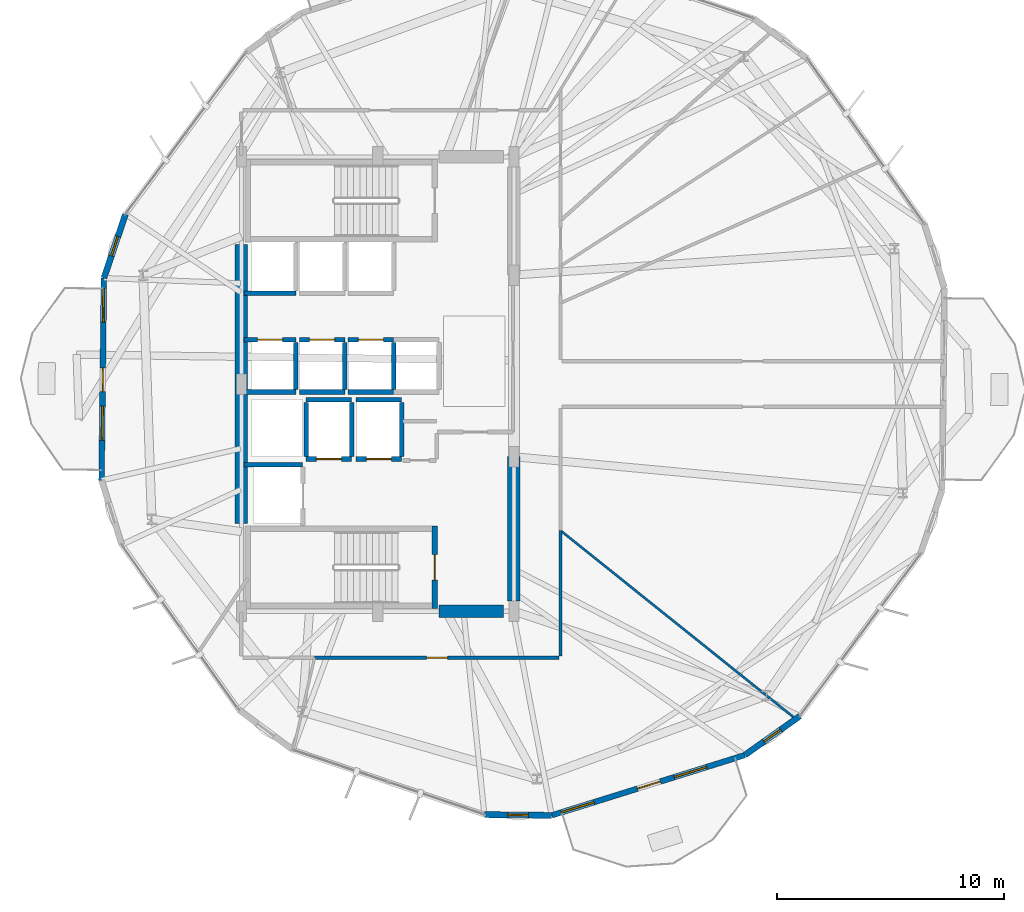
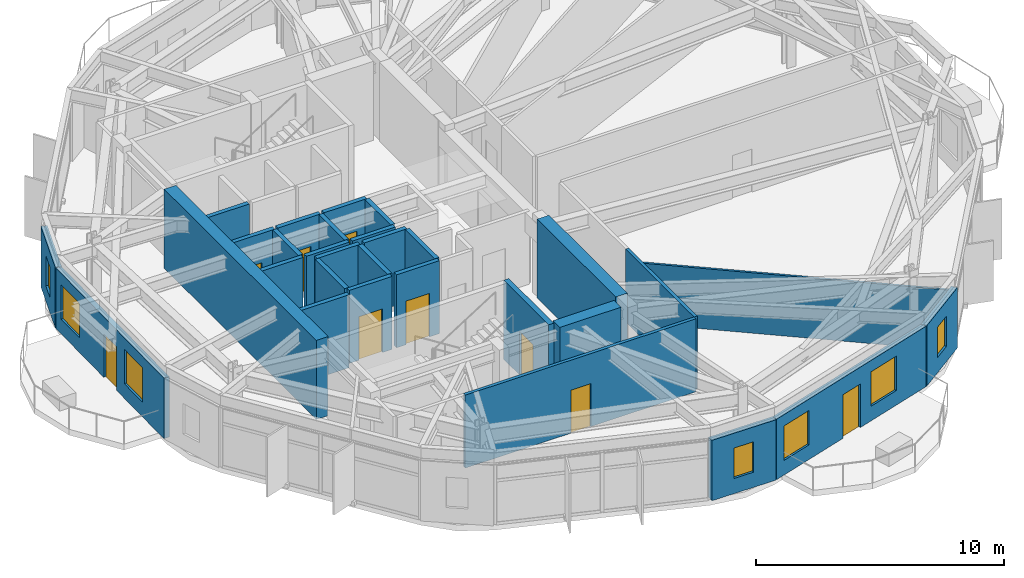
# One storey, part 22 of 27: 30 walls, 9 doors, 7 windows, 16 openings.
"""IFC4 building model written with IfcOpenShell, lengths in metres."""

from ifc_helpers import new_model, si_unit, direction, frame, frame_2d, origin, place, context, subcontext, project, spatial, rectangle, extrude, material, layer, layer_set, type_object, element, fill, save


model = new_model("IFC4")

# Units and contexts
model_context = context("Model", 3, precision=1e-05, world=origin(), true_north=direction((0.0, 1.0)))
body_context = subcontext(model_context, "Body", "Model", "MODEL_VIEW")
ifc_project = project(units=[si_unit("LENGTHUNIT", "METRE"), si_unit("AREAUNIT", "SQUARE_METRE"), si_unit("VOLUMEUNIT", "CUBIC_METRE"), si_unit("PLANEANGLEUNIT", "RADIAN"), si_unit("MASSUNIT", "GRAM", prefix="KILO")], contexts=[model_context])

# Site, building, storey
site_placement = place(None, origin())
site = spatial("IfcSite", under=ifc_project, at=site_placement, CompositionType="ELEMENT")
building_placement = place(site_placement, origin())
building = spatial("IfcBuilding", under=site, at=building_placement, Name="Soratama Intermodal Tower", CompositionType="ELEMENT")
storey_placement = place(building_placement, frame((0.0, 0.0, 95.199951171875)))
storey = spatial("IfcBuildingStorey", under=building, at=storey_placement, Name="L22", CompositionType="ELEMENT", Elevation=95.199951171875)

# Wall, openings, door, windows
ifc_material_1 = material(Name="Concrete f'c 42 MPa", Category="concrete")
ifc_layer_1 = layer(ifc_material_1, 0.25)
ifc_layer_set_1 = layer_set([ifc_layer_1], Name="Concrete f'c 42 MPa")
wall_type_1 = type_object("IfcWallType", Name="EW-BAL-250", PredefinedType="SOLIDWALL", material=ifc_layer_set_1)
wall_1_placement = place(storey_placement, frame((26.543701171875, 29.667236328125, 0.0), z_axis=(0.0, 0.0, 1.0), x_axis=(-0.011510186569, -0.999933755608, 0.0)))
wall_1 = element("IfcWall", 1, at=wall_1_placement, inside=storey, type_object=wall_type_1, Name="L22 Terrace Wall F05", PredefinedType="SOLIDWALL", context=body_context, shape_type="SweptSolid", body=[
    extrude(rectangle(XDim=8.908447265625, YDim=0.25, at=frame_2d((4.4541015625, 0.0))), origin(), (0.0, 0.0, 1.0), 2.97900390625),
])
opening_1_placement = place(wall_1_placement, frame((3.954345703125, 0.0, 0.0)))
opening_1 = element("IfcOpeningElement", 2, at=opening_1_placement, cuts=wall_1, Name="Opening ED-5", PredefinedType="OPENING", context=body_context, shape_type="SweptSolid", body=[
    extrude(rectangle(XDim=1.050048828125, YDim=2.14990234375, at=frame_2d((0.52490234375, 1.074951171875))), frame((0.0, 0.135009765625, 0.0), z_axis=(0.0, -1.0, 0.0), x_axis=(1.0, 0.0, 0.0)), (0.0, 0.0, 1.0), 0.27001953125),
])
opening_2_placement = place(wall_1_placement, frame((0.43994140625, 0.0, 0.719970703125)))
opening_2 = element("IfcOpeningElement", 3, at=opening_2_placement, cuts=wall_1, Name="Opening WN-1", PredefinedType="OPENING", context=body_context, shape_type="SweptSolid", body=[
    extrude(rectangle(XDim=1.5, YDim=1.699951171875, at=frame_2d((0.75, 0.85009765625))), frame((0.0, 0.135009765625, 0.0), z_axis=(0.0, -1.0, 0.0), x_axis=(1.0, 0.0, 0.0)), (0.0, 0.0, 1.0), 0.27001953125),
])
opening_3_placement = place(wall_1_placement, frame((5.644287109375, 0.0, 0.719970703125)))
opening_3 = element("IfcOpeningElement", 4, at=opening_3_placement, cuts=wall_1, Name="Opening WN-1", PredefinedType="OPENING", context=body_context, shape_type="SweptSolid", body=[
    extrude(rectangle(XDim=1.5, YDim=1.699951171875, at=frame_2d((0.75, 0.85009765625))), frame((0.0, 0.135009765625, 0.0), z_axis=(0.0, -1.0, 0.0), x_axis=(1.0, 0.0, 0.0)), (0.0, 0.0, 1.0), 0.27001953125),
])
ifc_material_2 = material(Name="Double-glazed aluminium door", Category="aluminium")
door_type_1 = type_object("IfcDoorType", Name="DR-BAL-1050", OperationType="NOTDEFINED", PredefinedType="DOOR", material=ifc_material_2)
door_1_placement = place(opening_1_placement, origin())
door_1 = element("IfcDoor", 5, at=door_1_placement, inside=storey, type_object=door_type_1, Name="L22 Balcony Door F05", OperationType="SINGLE_SWING_LEFT", OverallHeight=2.14990234375, OverallWidth=1.050048828125, PredefinedType="DOOR", context=body_context, shape_type="SweptSolid", body=[
    extrude(rectangle(XDim=1.050048828125, YDim=2.14990234375, at=frame_2d((0.52490234375, 1.074951171875))), frame((0.0, 0.02490234375, 0.0), z_axis=(0.0, -1.0, 0.0), x_axis=(1.0, 0.0, 0.0)), (0.0, 0.0, 1.0), 0.050048828125),
])
fill(opening_1, door_1)
ifc_material_3 = material(Name="Double-glazed aluminium window", Category="aluminium")
window_type_1 = type_object("IfcWindowType", Name="WN-FAC-1500", PartitioningType="SINGLE_PANEL", PredefinedType="WINDOW", material=ifc_material_3)
window_1_placement = place(opening_2_placement, origin())
window_1 = element("IfcWindow", 6, at=window_1_placement, inside=storey, type_object=window_type_1, Name="L22 Window A F05", OverallHeight=1.699951171875, OverallWidth=1.5, PartitioningType="SINGLE_PANEL", PredefinedType="WINDOW", context=body_context, shape_type="SweptSolid", body=[
    extrude(rectangle(XDim=1.5, YDim=1.699951171875, at=frame_2d((0.75, 0.85009765625))), frame((0.0, 0.030029296875, 0.0), z_axis=(0.0, -1.0, 0.0), x_axis=(1.0, 0.0, 0.0)), (0.0, 0.0, 1.0), 0.06005859375),
])
fill(opening_2, window_1)
window_2_placement = place(opening_3_placement, origin())
window_2 = element("IfcWindow", 7, at=window_2_placement, inside=storey, type_object=window_type_1, Name="L22 Window B F05", OverallHeight=1.699951171875, OverallWidth=1.5, PartitioningType="SINGLE_PANEL", PredefinedType="WINDOW", context=body_context, shape_type="SweptSolid", body=[
    extrude(rectangle(XDim=1.5, YDim=1.699951171875, at=frame_2d((0.75, 0.85009765625))), frame((0.0, 0.030029296875, 0.0), z_axis=(0.0, -1.0, 0.0), x_axis=(1.0, 0.0, 0.0)), (0.0, 0.0, 1.0), 0.06005859375),
])
fill(opening_3, window_2)

wall_2_placement = place(storey_placement, frame((46.2646484375, 6.0048828125, 0.0), z_axis=(0.0, 0.0, 1.0), x_axis=(0.954555531523, 0.298033114332, 0.0)))
wall_2 = element("IfcWall", 8, at=wall_2_placement, inside=storey, type_object=wall_type_1, Name="L22 Terrace Wall F08", PredefinedType="SOLIDWALL", context=body_context, shape_type="SweptSolid", body=[
    extrude(rectangle(XDim=8.908447265625, YDim=0.25, at=frame_2d((4.4541015625, 0.0))), origin(), (0.0, 0.0, 1.0), 2.97900390625),
])
opening_4_placement = place(wall_2_placement, frame((3.9541015625, 0.0, 0.0)))
opening_4 = element("IfcOpeningElement", 9, at=opening_4_placement, cuts=wall_2, Name="Opening ED-5", PredefinedType="OPENING", context=body_context, shape_type="SweptSolid", body=[
    extrude(rectangle(XDim=1.050048828125, YDim=2.14990234375, at=frame_2d((0.52490234375, 1.074951171875))), frame((0.0, 0.135009765625, 0.0), z_axis=(0.0, -1.0, 0.0), x_axis=(1.0, 0.0, 0.0)), (0.0, 0.0, 1.0), 0.27001953125),
])
opening_5_placement = place(wall_2_placement, frame((0.43994140625, 0.0, 0.719970703125)))
opening_5 = element("IfcOpeningElement", 10, at=opening_5_placement, cuts=wall_2, Name="Opening WN-1", PredefinedType="OPENING", context=body_context, shape_type="SweptSolid", body=[
    extrude(rectangle(XDim=1.5, YDim=1.699951171875, at=frame_2d((0.75, 0.85009765625))), frame((0.0, 0.135009765625, 0.0), z_axis=(0.0, -1.0, 0.0), x_axis=(1.0, 0.0, 0.0)), (0.0, 0.0, 1.0), 0.27001953125),
])
opening_6_placement = place(wall_2_placement, frame((5.644287109375, 0.0, 0.719970703125)))
opening_6 = element("IfcOpeningElement", 11, at=opening_6_placement, cuts=wall_2, Name="Opening WN-1", PredefinedType="OPENING", context=body_context, shape_type="SweptSolid", body=[
    extrude(rectangle(XDim=1.5, YDim=1.699951171875, at=frame_2d((0.75, 0.85009765625))), frame((0.0, 0.135009765625, 0.0), z_axis=(0.0, -1.0, 0.0), x_axis=(1.0, 0.0, 0.0)), (0.0, 0.0, 1.0), 0.27001953125),
])
door_2_placement = place(opening_4_placement, origin())
door_2 = element("IfcDoor", 12, at=door_2_placement, inside=storey, type_object=door_type_1, Name="L22 Balcony Door F08", OperationType="SINGLE_SWING_RIGHT", OverallHeight=2.14990234375, OverallWidth=1.050048828125, PredefinedType="DOOR", context=body_context, shape_type="SweptSolid", body=[
    extrude(rectangle(XDim=1.050048828125, YDim=2.14990234375, at=frame_2d((0.52490234375, 1.074951171875))), frame((0.0, 0.02490234375, 0.0), z_axis=(0.0, -1.0, 0.0), x_axis=(1.0, 0.0, 0.0)), (0.0, 0.0, 1.0), 0.050048828125),
])
fill(opening_4, door_2)
window_3_placement = place(opening_5_placement, origin())
window_3 = element("IfcWindow", 13, at=window_3_placement, inside=storey, type_object=window_type_1, Name="L22 Window A F08", OverallHeight=1.699951171875, OverallWidth=1.5, PartitioningType="SINGLE_PANEL", PredefinedType="WINDOW", context=body_context, shape_type="SweptSolid", body=[
    extrude(rectangle(XDim=1.5, YDim=1.699951171875, at=frame_2d((0.75, 0.85009765625))), frame((0.0, 0.030029296875, 0.0), z_axis=(0.0, -1.0, 0.0), x_axis=(1.0, 0.0, 0.0)), (0.0, 0.0, 1.0), 0.06005859375),
])
fill(opening_5, window_3)
window_4_placement = place(opening_6_placement, origin())
window_4 = element("IfcWindow", 14, at=window_4_placement, inside=storey, type_object=window_type_1, Name="L22 Window B F08", OverallHeight=1.699951171875, OverallWidth=1.5, PartitioningType="SINGLE_PANEL", PredefinedType="WINDOW", context=body_context, shape_type="SweptSolid", body=[
    extrude(rectangle(XDim=1.5, YDim=1.699951171875, at=frame_2d((0.75, 0.85009765625))), frame((0.0, 0.030029296875, 0.0), z_axis=(0.0, -1.0, 0.0), x_axis=(1.0, 0.0, 0.0)), (0.0, 0.0, 1.0), 0.06005859375),
])
fill(opening_6, window_4)

# Wall, opening, window
ifc_material_4 = material(Name="Concrete f'c 42 MPa", Category="concrete")
ifc_layer_2 = layer(ifc_material_4, 0.27001953125)
ifc_layer_set_2 = layer_set([ifc_layer_2], Name="Concrete f'c 42 MPa")
wall_type_2 = type_object("IfcWallType", Name="EW-CRN-270", PredefinedType="SOLIDWALL", material=ifc_layer_set_2)
wall_3_placement = place(storey_placement, frame((27.492919921875, 32.477783203125, 0.0), z_axis=(0.0, 0.0, 1.0), x_axis=(-0.319978121569, -0.94742493197, 0.0)))
wall_3 = element("IfcWall", 15, at=wall_3_placement, inside=storey, type_object=wall_type_2, Name="L22 Corner Closure Wall 04", PredefinedType="SOLIDWALL", context=body_context, shape_type="SweptSolid", body=[
    extrude(rectangle(XDim=2.966552734375, YDim=0.27001953125, at=frame_2d((1.4833984375, 0.0))), origin(), (0.0, 0.0, 1.0), 2.97900390625),
])
opening_7_placement = place(wall_3_placement, frame((1.033203125, 0.0, 0.75)))
opening_7 = element("IfcOpeningElement", 16, at=opening_7_placement, cuts=wall_3, Name="Opening WN-6", PredefinedType="OPENING", context=body_context, shape_type="SweptSolid", body=[
    extrude(rectangle(XDim=0.89990234375, YDim=1.5, at=frame_2d((0.449951171875, 0.75))), frame((0.0, 0.14501953125, 0.0), z_axis=(0.0, -1.0, 0.0), x_axis=(1.0, 0.0, 0.0)), (0.0, 0.0, 1.0), 0.2900390625),
])
ifc_material_5 = material(Name="Double-glazed aluminium window", Category="aluminium")
window_type_2 = type_object("IfcWindowType", Name="WN-FAC-900", PartitioningType="SINGLE_PANEL", PredefinedType="WINDOW", material=ifc_material_5)
window_5_placement = place(opening_7_placement, origin())
window_5 = element("IfcWindow", 17, at=window_5_placement, inside=storey, type_object=window_type_2, Name="L22 Corner Window 04", OverallHeight=1.5, OverallWidth=0.89990234375, PartitioningType="SINGLE_PANEL", PredefinedType="WINDOW", context=body_context, shape_type="SweptSolid", body=[
    extrude(rectangle(XDim=0.89990234375, YDim=1.5, at=frame_2d((0.449951171875, 0.75))), frame((0.0, 0.030029296875, 0.0), z_axis=(0.0, -1.0, 0.0), x_axis=(1.0, 0.0, 0.0)), (0.0, 0.0, 1.0), 0.06005859375),
])
fill(opening_7, window_5)

wall_4_placement = place(storey_placement, frame((43.298095703125, 6.0390625, 0.0), z_axis=(0.0, 0.0, 1.0), x_axis=(0.99993363199, -0.011520920787, 0.0)))
wall_4 = element("IfcWall", 18, at=wall_4_placement, inside=storey, type_object=wall_type_2, Name="L22 Corner Closure Wall 07", PredefinedType="SOLIDWALL", context=body_context, shape_type="SweptSolid", body=[
    extrude(rectangle(XDim=2.966796875, YDim=0.27001953125, at=frame_2d((1.4833984375, 0.0))), origin(), (0.0, 0.0, 1.0), 2.97900390625),
])
opening_8_placement = place(wall_4_placement, frame((1.033203125, 0.0, 0.75)))
opening_8 = element("IfcOpeningElement", 19, at=opening_8_placement, cuts=wall_4, Name="Opening WN-6", PredefinedType="OPENING", context=body_context, shape_type="SweptSolid", body=[
    extrude(rectangle(XDim=0.89990234375, YDim=1.5, at=frame_2d((0.449951171875, 0.75))), frame((0.0, 0.14501953125, 0.0), z_axis=(0.0, -1.0, 0.0), x_axis=(1.0, 0.0, 0.0)), (0.0, 0.0, 1.0), 0.2900390625),
])
window_6_placement = place(opening_8_placement, origin())
window_6 = element("IfcWindow", 20, at=window_6_placement, inside=storey, type_object=window_type_2, Name="L22 Corner Window 07", OverallHeight=1.5, OverallWidth=0.89990234375, PartitioningType="SINGLE_PANEL", PredefinedType="WINDOW", context=body_context, shape_type="SweptSolid", body=[
    extrude(rectangle(XDim=0.89990234375, YDim=1.5, at=frame_2d((0.449951171875, 0.75))), frame((0.0, 0.030029296875, 0.0), z_axis=(0.0, -1.0, 0.0), x_axis=(1.0, 0.0, 0.0)), (0.0, 0.0, 1.0), 0.06005859375),
])
fill(opening_8, window_6)

wall_5_placement = place(storey_placement, frame((54.768310546875, 8.659912109375, 0.0), z_axis=(0.0, 0.0, 1.0), x_axis=(0.815686288548, 0.57849449321, 0.0)))
wall_5 = element("IfcWall", 21, at=wall_5_placement, inside=storey, type_object=wall_type_2, Name="L22 Corner Closure Wall 08", PredefinedType="SOLIDWALL", context=body_context, shape_type="SweptSolid", body=[
    extrude(rectangle(XDim=2.966552734375, YDim=0.27001953125, at=frame_2d((1.4833984375, 0.0))), origin(), (0.0, 0.0, 1.0), 2.97900390625),
])
opening_9_placement = place(wall_5_placement, frame((1.033203125, 0.0, 0.75)))
opening_9 = element("IfcOpeningElement", 22, at=opening_9_placement, cuts=wall_5, Name="Opening WN-6", PredefinedType="OPENING", context=body_context, shape_type="SweptSolid", body=[
    extrude(rectangle(XDim=0.89990234375, YDim=1.5, at=frame_2d((0.449951171875, 0.75))), frame((0.0, 0.14501953125, 0.0), z_axis=(0.0, -1.0, 0.0), x_axis=(1.0, 0.0, 0.0)), (0.0, 0.0, 1.0), 0.2900390625),
])
window_7_placement = place(opening_9_placement, origin())
window_7 = element("IfcWindow", 23, at=window_7_placement, inside=storey, type_object=window_type_2, Name="L22 Corner Window 08", OverallHeight=1.5, OverallWidth=0.89990234375, PartitioningType="SINGLE_PANEL", PredefinedType="WINDOW", context=body_context, shape_type="SweptSolid", body=[
    extrude(rectangle(XDim=0.89990234375, YDim=1.5, at=frame_2d((0.449951171875, 0.75))), frame((0.0, 0.030029296875, 0.0), z_axis=(0.0, -1.0, 0.0), x_axis=(1.0, 0.0, 0.0)), (0.0, 0.0, 1.0), 0.06005859375),
])
fill(opening_9, window_7)

# Wall, opening, door
ifc_material_6 = material(Name="Fire-rated gypsum stud partition", Category="concrete")
ifc_layer_3 = layer(ifc_material_6, 0.14990234375)
ifc_layer_set_3 = layer_set([ifc_layer_3], Name="Fire-rated gypsum stud partition")
wall_type_3 = type_object("IfcWallType", Name="IW-PART-R150", PredefinedType="PARTITIONING", material=ifc_layer_set_3)
wall_6_placement = place(storey_placement, frame((46.580078125, 12.949951171875, 0.0), z_axis=(0.0, 0.0, 1.0), x_axis=(-1.0, 0.0, 0.0)))
wall_6 = element("IfcWall", 24, at=wall_6_placement, inside=storey, type_object=wall_type_3, Name="L22 Partition W-L22-TP007", PredefinedType="PARTITIONING", context=body_context, shape_type="SweptSolid", body=[
    extrude(rectangle(XDim=10.760986328125, YDim=0.14990234375, at=frame_2d((5.38037109375, 0.0))), origin(), (0.0, 0.0, 1.0), 3.60009765625),
])
opening_10_placement = place(wall_6_placement, frame((4.905029296875, 0.0, 0.0)))
opening_10 = element("IfcOpeningElement", 25, at=opening_10_placement, cuts=wall_6, Name="Opening ID-6", PredefinedType="OPENING", context=body_context, shape_type="SweptSolid", body=[
    extrude(rectangle(XDim=0.919921875, YDim=2.1201171875, at=frame_2d((0.4599609375, 1.06005859375))), frame((0.0, 0.0849609375, 0.0), z_axis=(0.0, -1.0, 0.0), x_axis=(1.0, 0.0, 0.0)), (0.0, 0.0, 1.0), 0.169921875),
])
ifc_material_7 = material(Name="Solid hardwood acoustic door", Category="wood")
door_type_2 = type_object("IfcDoorType", Name="DR-ROOM-920", OperationType="NOTDEFINED", PredefinedType="DOOR", material=ifc_material_7)
door_3_placement = place(opening_10_placement, origin())
door_3 = element("IfcDoor", 26, at=door_3_placement, inside=storey, type_object=door_type_2, Name="L22 Door D-L22-TP003", OperationType="SINGLE_SWING_RIGHT", OverallHeight=2.1201171875, OverallWidth=0.919921875, PredefinedType="DOOR", context=body_context, shape_type="SweptSolid", body=[
    extrude(rectangle(XDim=0.919921875, YDim=2.1201171875, at=frame_2d((0.4599609375, 1.06005859375))), frame((0.0, 0.02490234375, 0.0), z_axis=(0.0, -1.0, 0.0), x_axis=(1.0, 0.0, 0.0)), (0.0, 0.0, 1.0), 0.050048828125),
])
fill(opening_10, door_3)

# Walls
wall_7_placement = place(storey_placement, frame((46.64990234375, 18.550048828125, 0.0), z_axis=(0.0, 0.0, 1.0), x_axis=(0.0, -1.0, 0.0)))
element("IfcWall", 27, at=wall_7_placement, inside=storey, type_object=wall_type_3, Name="L22 Partition W-L22-TP013", PredefinedType="PARTITIONING", context=body_context, shape_type="SweptSolid", body=[
    extrude(rectangle(XDim=5.530029296875, YDim=0.14990234375, at=frame_2d((2.76513671875, 0.0))), origin(), (0.0, 0.0, 1.0), 3.60009765625),
])
ifc_material_8 = material(Name="Fire-rated gypsum stud partition", Category="concrete")
ifc_layer_4 = layer(ifc_material_8, 0.10009765625)
ifc_layer_set_4 = layer_set([ifc_layer_4], Name="Fire-rated gypsum stud partition")
wall_type_4 = type_object("IfcWallType", Name="IW-PART-S100", PredefinedType="PARTITIONING", material=ifc_layer_set_4)
wall_8_placement = place(storey_placement, frame((46.64990234375, 18.550048828125, 0.0), z_axis=(0.0, 0.0, 1.0), x_axis=(0.780419428842, -0.625256359492, 0.0)))
element("IfcWall", 28, at=wall_8_placement, inside=storey, type_object=wall_type_4, Name="L22 Partition W-L22-TP005", PredefinedType="PARTITIONING", context=body_context, shape_type="SweptSolid", body=[
    extrude(rectangle(XDim=13.309814453125, YDim=0.10009765625, at=frame_2d((6.65478515625, 0.0))), origin(), (0.0, 0.0, 1.0), 2.97802734375),
])

# Wall, opening, door
ifc_material_9 = material(Name="Concrete f'c 42 MPa", Category="concrete")
ifc_layer_5 = layer(ifc_material_9, 0.199951171875)
ifc_layer_set_5 = layer_set([ifc_layer_5], Name="Concrete f'c 42 MPa")
wall_type_5 = type_object("IfcWallType", Name="IW-SHAFT-200", PredefinedType="SOLIDWALL", material=ifc_layer_set_5)
wall_9_placement = place(storey_placement, frame((35.449951171875, 21.699951171875, 0.0), z_axis=(0.0, 0.0, 1.0), x_axis=(1.0, 0.0, 0.0)))
wall_9 = element("IfcWall", 29, at=wall_9_placement, inside=storey, type_object=wall_type_5, Name="L22 FFL-1 Hoistway Wall S", PredefinedType="SOLIDWALL", context=body_context, shape_type="SweptSolid", body=[
    extrude(rectangle(XDim=2.0, YDim=0.199951171875, at=frame_2d((1.0, 0.0))), origin(), (0.0, 0.0, 1.0), 3.60009765625),
])
opening_11_placement = place(wall_9_placement, frame((0.449951171875, 0.0, 0.0)))
opening_11 = element("IfcOpeningElement", 30, at=opening_11_placement, cuts=wall_9, Name="Opening LD-1", PredefinedType="OPENING", context=body_context, shape_type="SweptSolid", body=[
    extrude(rectangle(XDim=1.10009765625, YDim=2.14990234375, at=frame_2d((0.550048828125, 1.074951171875))), frame((0.0, 0.10986328125, 0.0), z_axis=(0.0, -1.0, 0.0), x_axis=(1.0, 0.0, 0.0)), (0.0, 0.0, 1.0), 0.219970703125),
])
ifc_material_10 = material(Name="Steel fire door", Category="steel")
door_type_3 = type_object("IfcDoorType", Name="DR-LIFT-SLIDE", OperationType="NOTDEFINED", PredefinedType="DOOR", material=ifc_material_10)
door_4_placement = place(opening_11_placement, origin())
door_4 = element("IfcDoor", 31, at=door_4_placement, inside=storey, type_object=door_type_3, Name="L22 FFL-1 Sliding Landing Door", OperationType="SLIDING_TO_LEFT", OverallHeight=2.14990234375, OverallWidth=1.10009765625, PredefinedType="DOOR", context=body_context, shape_type="SweptSolid", body=[
    extrude(rectangle(XDim=1.10009765625, YDim=2.14990234375, at=frame_2d((0.550048828125, 1.074951171875))), frame((0.0, 0.02490234375, 0.0), z_axis=(0.0, -1.0, 0.0), x_axis=(1.0, 0.0, 0.0)), (0.0, 0.0, 1.0), 0.050048828125),
])
fill(opening_11, door_4)

# Walls
wall_10_placement = place(storey_placement, frame((35.449951171875, 24.300048828125, 0.0), z_axis=(0.0, 0.0, 1.0), x_axis=(1.0, 0.0, 0.0)))
element("IfcWall", 32, at=wall_10_placement, inside=storey, type_object=wall_type_5, Name="L22 FFL-1 Hoistway Wall N", PredefinedType="SOLIDWALL", context=body_context, shape_type="SweptSolid", body=[
    extrude(rectangle(XDim=2.0, YDim=0.199951171875, at=frame_2d((1.0, 0.0))), origin(), (0.0, 0.0, 1.0), 3.60009765625),
])
for number, where, z_axis, x_axis, name in (
    (33, (35.449951171875, 21.81005859375, 0.0), (0.0, 0.0, 1.0), (0.0, 1.0, 0.0), "L22 FFL-1 Hoistway Wall W"),
    (34, (37.449951171875, 21.81005859375, 0.0), (0.0, 0.0, 1.0), (0.0, 1.0, 0.0), "L22 FFL-1 Hoistway Wall E"),
):
    element("IfcWall", number, at=place(storey_placement, frame(where, z_axis=z_axis, x_axis=x_axis)), inside=storey, type_object=wall_type_5, Name=name, PredefinedType="SOLIDWALL", context=body_context, shape_type="SweptSolid", body=[
        extrude(rectangle(XDim=2.3798828125, YDim=0.199951171875, at=frame_2d((1.18994140625, 0.0))), origin(), (0.0, 0.0, 1.0), 3.60009765625),
    ])

# Wall, opening, door
wall_11_placement = place(storey_placement, frame((37.64990234375, 21.699951171875, 0.0), z_axis=(0.0, 0.0, 1.0), x_axis=(1.0, 0.0, 0.0)))
wall_11 = element("IfcWall", 35, at=wall_11_placement, inside=storey, type_object=wall_type_5, Name="L22 FFL-2 Hoistway Wall S", PredefinedType="SOLIDWALL", context=body_context, shape_type="SweptSolid", body=[
    extrude(rectangle(XDim=2.0, YDim=0.199951171875, at=frame_2d((1.0, 0.0))), origin(), (0.0, 0.0, 1.0), 3.60009765625),
])
opening_12_placement = place(wall_11_placement, frame((0.449951171875, 0.0, 0.0)))
opening_12 = element("IfcOpeningElement", 36, at=opening_12_placement, cuts=wall_11, Name="Opening LD-1", PredefinedType="OPENING", context=body_context, shape_type="SweptSolid", body=[
    extrude(rectangle(XDim=1.10009765625, YDim=2.14990234375, at=frame_2d((0.550048828125, 1.074951171875))), frame((0.0, 0.10986328125, 0.0), z_axis=(0.0, -1.0, 0.0), x_axis=(1.0, 0.0, 0.0)), (0.0, 0.0, 1.0), 0.219970703125),
])
door_5_placement = place(opening_12_placement, origin())
door_5 = element("IfcDoor", 37, at=door_5_placement, inside=storey, type_object=door_type_3, Name="L22 FFL-2 Sliding Landing Door", OperationType="SLIDING_TO_LEFT", OverallHeight=2.14990234375, OverallWidth=1.10009765625, PredefinedType="DOOR", context=body_context, shape_type="SweptSolid", body=[
    extrude(rectangle(XDim=1.10009765625, YDim=2.14990234375, at=frame_2d((0.550048828125, 1.074951171875))), frame((0.0, 0.02490234375, 0.0), z_axis=(0.0, -1.0, 0.0), x_axis=(1.0, 0.0, 0.0)), (0.0, 0.0, 1.0), 0.050048828125),
])
fill(opening_12, door_5)

# Walls
wall_12_placement = place(storey_placement, frame((37.64990234375, 24.300048828125, 0.0), z_axis=(0.0, 0.0, 1.0), x_axis=(1.0, 0.0, 0.0)))
element("IfcWall", 38, at=wall_12_placement, inside=storey, type_object=wall_type_5, Name="L22 FFL-2 Hoistway Wall N", PredefinedType="SOLIDWALL", context=body_context, shape_type="SweptSolid", body=[
    extrude(rectangle(XDim=2.0, YDim=0.199951171875, at=frame_2d((1.0, 0.0))), origin(), (0.0, 0.0, 1.0), 3.60009765625),
])
wall_13_placement = place(storey_placement, frame((39.64990234375, 21.81005859375, 0.0), z_axis=(0.0, 0.0, 1.0), x_axis=(0.0, 1.0, 0.0)))
element("IfcWall", 39, at=wall_13_placement, inside=storey, type_object=wall_type_5, Name="L22 FFL-2 Hoistway Wall E", PredefinedType="SOLIDWALL", context=body_context, shape_type="SweptSolid", body=[
    extrude(rectangle(XDim=2.3798828125, YDim=0.199951171875, at=frame_2d((1.18994140625, 0.0))), origin(), (0.0, 0.0, 1.0), 3.60009765625),
])
wall_14_placement = place(storey_placement, frame((32.719970703125, 21.449951171875, 0.0), z_axis=(0.0, 0.0, 1.0), x_axis=(1.0, 0.0, 0.0)))
element("IfcWall", 40, at=wall_14_placement, inside=storey, type_object=wall_type_5, Name="L22 SVL-1 Hoistway Wall N", PredefinedType="SOLIDWALL", context=body_context, shape_type="SweptSolid", body=[
    extrude(rectangle(XDim=2.580078125, YDim=0.199951171875, at=frame_2d((1.2900390625, 0.0))), origin(), (0.0, 0.0, 1.0), 3.60009765625),
])
wall_15_placement = place(storey_placement, frame((32.719970703125, 24.64990234375, 0.0), z_axis=(0.0, 0.0, 1.0), x_axis=(1.0, 0.0, 0.0)))
element("IfcWall", 41, at=wall_15_placement, inside=storey, type_object=wall_type_5, Name="L22 PL-L1 Hoistway Wall S", PredefinedType="SOLIDWALL", context=body_context, shape_type="SweptSolid", body=[
    extrude(rectangle(XDim=2.280029296875, YDim=0.199951171875, at=frame_2d((1.14013671875, 0.0))), origin(), (0.0, 0.0, 1.0), 3.60009765625),
])

# Wall, opening, door
wall_16_placement = place(storey_placement, frame((32.719970703125, 26.949951171875, 0.0), z_axis=(0.0, 0.0, 1.0), x_axis=(1.0, 0.0, 0.0)))
wall_16 = element("IfcWall", 42, at=wall_16_placement, inside=storey, type_object=wall_type_5, Name="L22 PL-L1 Hoistway Wall N", PredefinedType="SOLIDWALL", context=body_context, shape_type="SweptSolid", body=[
    extrude(rectangle(XDim=2.280029296875, YDim=0.199951171875, at=frame_2d((1.14013671875, 0.0))), origin(), (0.0, 0.0, 1.0), 3.60009765625),
])
opening_13_placement = place(wall_16_placement, frame((0.590087890625, 0.0, 0.0)))
opening_13 = element("IfcOpeningElement", 43, at=opening_13_placement, cuts=wall_16, Name="Opening LD-1", PredefinedType="OPENING", context=body_context, shape_type="SweptSolid", body=[
    extrude(rectangle(XDim=1.10009765625, YDim=2.14990234375, at=frame_2d((0.550048828125, 1.074951171875))), frame((0.0, 0.10986328125, 0.0), z_axis=(0.0, -1.0, 0.0), x_axis=(1.0, 0.0, 0.0)), (0.0, 0.0, 1.0), 0.219970703125),
])
door_6_placement = place(opening_13_placement, origin())
door_6 = element("IfcDoor", 44, at=door_6_placement, inside=storey, type_object=door_type_3, Name="L22 PL-L1 Sliding Landing Door", OperationType="SLIDING_TO_LEFT", OverallHeight=2.14990234375, OverallWidth=1.10009765625, PredefinedType="DOOR", context=body_context, shape_type="SweptSolid", body=[
    extrude(rectangle(XDim=1.10009765625, YDim=2.14990234375, at=frame_2d((0.550048828125, 1.074951171875))), frame((0.0, 0.02490234375, 0.0), z_axis=(0.0, -1.0, 0.0), x_axis=(1.0, 0.0, 0.0)), (0.0, 0.0, 1.0), 0.050048828125),
])
fill(opening_13, door_6)

# Walls
wall_17_placement = place(storey_placement, frame((35.0, 24.760009765625, 0.0), z_axis=(0.0, 0.0, 1.0), x_axis=(0.0, 1.0, 0.0)))
element("IfcWall", 45, at=wall_17_placement, inside=storey, type_object=wall_type_5, Name="L22 PL-L1 Hoistway Wall E", PredefinedType="SOLIDWALL", context=body_context, shape_type="SweptSolid", body=[
    extrude(rectangle(XDim=2.080078125, YDim=0.199951171875, at=frame_2d((1.0400390625, 0.0))), origin(), (0.0, 0.0, 1.0), 3.60009765625),
])
wall_18_placement = place(storey_placement, frame((35.14990234375, 24.64990234375, 0.0), z_axis=(0.0, 0.0, 1.0), x_axis=(1.0, 0.0, 0.0)))
element("IfcWall", 46, at=wall_18_placement, inside=storey, type_object=wall_type_5, Name="L22 PL-L2 Hoistway Wall S", PredefinedType="SOLIDWALL", context=body_context, shape_type="SweptSolid", body=[
    extrude(rectangle(XDim=2.0, YDim=0.199951171875, at=frame_2d((1.0, 0.0))), origin(), (0.0, 0.0, 1.0), 3.60009765625),
])

# Wall, opening, door
wall_19_placement = place(storey_placement, frame((35.14990234375, 26.949951171875, 0.0), z_axis=(0.0, 0.0, 1.0), x_axis=(1.0, 0.0, 0.0)))
wall_19 = element("IfcWall", 47, at=wall_19_placement, inside=storey, type_object=wall_type_5, Name="L22 PL-L2 Hoistway Wall N", PredefinedType="SOLIDWALL", context=body_context, shape_type="SweptSolid", body=[
    extrude(rectangle(XDim=2.0, YDim=0.199951171875, at=frame_2d((1.0, 0.0))), origin(), (0.0, 0.0, 1.0), 3.60009765625),
])
opening_14_placement = place(wall_19_placement, frame((0.449951171875, 0.0, 0.0)))
opening_14 = element("IfcOpeningElement", 48, at=opening_14_placement, cuts=wall_19, Name="Opening LD-1", PredefinedType="OPENING", context=body_context, shape_type="SweptSolid", body=[
    extrude(rectangle(XDim=1.10009765625, YDim=2.14990234375, at=frame_2d((0.550048828125, 1.074951171875))), frame((0.0, 0.10986328125, 0.0), z_axis=(0.0, -1.0, 0.0), x_axis=(1.0, 0.0, 0.0)), (0.0, 0.0, 1.0), 0.219970703125),
])
door_7_placement = place(opening_14_placement, origin())
door_7 = element("IfcDoor", 49, at=door_7_placement, inside=storey, type_object=door_type_3, Name="L22 PL-L2 Sliding Landing Door", OperationType="SLIDING_TO_LEFT", OverallHeight=2.14990234375, OverallWidth=1.10009765625, PredefinedType="DOOR", context=body_context, shape_type="SweptSolid", body=[
    extrude(rectangle(XDim=1.10009765625, YDim=2.14990234375, at=frame_2d((0.550048828125, 1.074951171875))), frame((0.0, 0.02490234375, 0.0), z_axis=(0.0, -1.0, 0.0), x_axis=(1.0, 0.0, 0.0)), (0.0, 0.0, 1.0), 0.050048828125),
])
fill(opening_14, door_7)

# Walls
wall_20_placement = place(storey_placement, frame((37.14990234375, 24.760009765625, 0.0), z_axis=(0.0, 0.0, 1.0), x_axis=(0.0, 1.0, 0.0)))
element("IfcWall", 50, at=wall_20_placement, inside=storey, type_object=wall_type_5, Name="L22 PL-L2 Hoistway Wall E", PredefinedType="SOLIDWALL", context=body_context, shape_type="SweptSolid", body=[
    extrude(rectangle(XDim=2.080078125, YDim=0.199951171875, at=frame_2d((1.0400390625, 0.0))), origin(), (0.0, 0.0, 1.0), 3.60009765625),
])
wall_21_placement = place(storey_placement, frame((37.300048828125, 24.64990234375, 0.0), z_axis=(0.0, 0.0, 1.0), x_axis=(1.0, 0.0, 0.0)))
element("IfcWall", 51, at=wall_21_placement, inside=storey, type_object=wall_type_5, Name="L22 PL-L3 Hoistway Wall S", PredefinedType="SOLIDWALL", context=body_context, shape_type="SweptSolid", body=[
    extrude(rectangle(XDim=2.0, YDim=0.199951171875, at=frame_2d((1.0, 0.0))), origin(), (0.0, 0.0, 1.0), 3.60009765625),
])

# Wall, opening, door
wall_22_placement = place(storey_placement, frame((37.300048828125, 26.949951171875, 0.0), z_axis=(0.0, 0.0, 1.0), x_axis=(1.0, 0.0, 0.0)))
wall_22 = element("IfcWall", 52, at=wall_22_placement, inside=storey, type_object=wall_type_5, Name="L22 PL-L3 Hoistway Wall N", PredefinedType="SOLIDWALL", context=body_context, shape_type="SweptSolid", body=[
    extrude(rectangle(XDim=2.0, YDim=0.199951171875, at=frame_2d((1.0, 0.0))), origin(), (0.0, 0.0, 1.0), 3.60009765625),
])
opening_15_placement = place(wall_22_placement, frame((0.449951171875, 0.0, 0.0)))
opening_15 = element("IfcOpeningElement", 53, at=opening_15_placement, cuts=wall_22, Name="Opening LD-1", PredefinedType="OPENING", context=body_context, shape_type="SweptSolid", body=[
    extrude(rectangle(XDim=1.10009765625, YDim=2.14990234375, at=frame_2d((0.550048828125, 1.074951171875))), frame((0.0, 0.10986328125, 0.0), z_axis=(0.0, -1.0, 0.0), x_axis=(1.0, 0.0, 0.0)), (0.0, 0.0, 1.0), 0.219970703125),
])
door_8_placement = place(opening_15_placement, origin())
door_8 = element("IfcDoor", 54, at=door_8_placement, inside=storey, type_object=door_type_3, Name="L22 PL-L3 Sliding Landing Door", OperationType="SLIDING_TO_LEFT", OverallHeight=2.14990234375, OverallWidth=1.10009765625, PredefinedType="DOOR", context=body_context, shape_type="SweptSolid", body=[
    extrude(rectangle(XDim=1.10009765625, YDim=2.14990234375, at=frame_2d((0.550048828125, 1.074951171875))), frame((0.0, 0.02490234375, 0.0), z_axis=(0.0, -1.0, 0.0), x_axis=(1.0, 0.0, 0.0)), (0.0, 0.0, 1.0), 0.050048828125),
])
fill(opening_15, door_8)

# Walls
wall_23_placement = place(storey_placement, frame((39.300048828125, 24.760009765625, 0.0), z_axis=(0.0, 0.0, 1.0), x_axis=(0.0, 1.0, 0.0)))
element("IfcWall", 55, at=wall_23_placement, inside=storey, type_object=wall_type_5, Name="L22 PL-L3 Hoistway Wall E", PredefinedType="SOLIDWALL", context=body_context, shape_type="SweptSolid", body=[
    extrude(rectangle(XDim=2.080078125, YDim=0.199951171875, at=frame_2d((1.0400390625, 0.0))), origin(), (0.0, 0.0, 1.0), 3.60009765625),
])
wall_24_placement = place(storey_placement, frame((32.719970703125, 29.0, 0.0), z_axis=(0.0, 0.0, 1.0), x_axis=(1.0, 0.0, 0.0)))
element("IfcWall", 56, at=wall_24_placement, inside=storey, type_object=wall_type_5, Name="L22 PL-M2 Hoistway Wall S", PredefinedType="SOLIDWALL", context=body_context, shape_type="SweptSolid", body=[
    extrude(rectangle(XDim=2.280029296875, YDim=0.199951171875, at=frame_2d((1.14013671875, 0.0))), origin(), (0.0, 0.0, 1.0), 3.60009765625),
])
ifc_material_11 = material(Name="Concrete f'c 56 MPa", Category="concrete")
ifc_layer_6 = layer(ifc_material_11, 0.550048828125)
ifc_layer_set_6 = layer_set([ifc_layer_6], Name="Concrete f'c 56 MPa")
wall_type_6 = type_object("IfcWallType", Name="SW-CORE-550", PredefinedType="SHEAR", material=ifc_layer_set_6)
wall_25_placement = place(storey_placement, frame((32.60009765625, 18.85009765625, 0.0), z_axis=(0.0, 0.0, 1.0), x_axis=(0.0, 1.0, 0.0)))
element("IfcWall", 57, at=wall_25_placement, inside=storey, type_object=wall_type_6, Name="L22 Core Shear Wall CW-WMID", PredefinedType="SHEAR", context=body_context, shape_type="SweptSolid", body=[
    extrude(rectangle(XDim=12.2998046875, YDim=0.550048828125, at=frame_2d((6.14990234375, 0.0))), origin(), (0.0, 0.0, 1.0), 3.900146484375),
])
wall_26_placement = place(storey_placement, frame((41.300048828125, 15.0, 0.0), z_axis=(0.0, 0.0, 1.0), x_axis=(1.0, 0.0, 0.0)))
element("IfcWall", 58, at=wall_26_placement, inside=storey, type_object=wall_type_6, Name="L22 Core Shear Wall CW-SE", PredefinedType="SHEAR", context=body_context, shape_type="SweptSolid", body=[
    extrude(rectangle(XDim=2.849853515625, YDim=0.550048828125, at=frame_2d((1.4248046875, 0.0))), origin(), (0.0, 0.0, 1.0), 3.900146484375),
])
wall_27_placement = place(storey_placement, frame((44.60009765625, 15.449951171875, 0.0), z_axis=(0.0, 0.0, 1.0), x_axis=(0.0, 1.0, 0.0)))
element("IfcWall", 59, at=wall_27_placement, inside=storey, type_object=wall_type_6, Name="L22 Core Shear Wall CW-ES", PredefinedType="SHEAR", context=body_context, shape_type="SweptSolid", body=[
    extrude(rectangle(XDim=6.35009765625, YDim=0.550048828125, at=frame_2d((3.175048828125, 0.0))), origin(), (0.0, 0.0, 1.0), 3.900146484375),
])

# Wall, opening, door
ifc_material_12 = material(Name="Concrete f'c 56 MPa", Category="concrete")
ifc_layer_7 = layer(ifc_material_12, 0.239990234375)
ifc_layer_set_7 = layer_set([ifc_layer_7], Name="Concrete f'c 56 MPa")
wall_type_7 = type_object("IfcWallType", Name="SW-STAIR-240", PredefinedType="SHEAR", material=ifc_layer_set_7)
wall_28_placement = place(storey_placement, frame((41.1201171875, 15.110107421875, 0.0), z_axis=(0.0, 0.0, 1.0), x_axis=(0.0, 1.0, 0.0)))
wall_28 = element("IfcWall", 60, at=wall_28_placement, inside=storey, type_object=wall_type_7, Name="L22 ST-1 Shaft Shear Wall E", PredefinedType="SHEAR", context=body_context, shape_type="SweptSolid", body=[
    extrude(rectangle(XDim=3.6298828125, YDim=0.239990234375, at=frame_2d((1.81494140625, 0.0))), origin(), (0.0, 0.0, 1.0), 3.900146484375),
])
opening_16_placement = place(wall_28_placement, frame((1.2548828125, 0.0, 0.0)))
opening_16 = element("IfcOpeningElement", 61, at=opening_16_placement, cuts=wall_28, Name="Opening SD-1", PredefinedType="OPENING", context=body_context, shape_type="SweptSolid", body=[
    extrude(rectangle(XDim=1.1201171875, YDim=2.14990234375, at=frame_2d((0.56005859375, 1.074951171875))), frame((0.0, 0.1298828125, 0.0), z_axis=(0.0, -1.0, 0.0), x_axis=(1.0, 0.0, 0.0)), (0.0, 0.0, 1.0), 0.260009765625),
])
ifc_material_13 = material(Name="Steel fire door", Category="steel")
door_type_4 = type_object("IfcDoorType", Name="DR-STAIR-FD90", OperationType="NOTDEFINED", PredefinedType="DOOR", material=ifc_material_13)
door_9_placement = place(opening_16_placement, origin())
door_9 = element("IfcDoor", 62, at=door_9_placement, inside=storey, type_object=door_type_4, Name="L22 ST-1 Exit Stair Door", OperationType="SINGLE_SWING_LEFT", OverallHeight=2.14990234375, OverallWidth=1.1201171875, PredefinedType="DOOR", context=body_context, shape_type="SweptSolid", body=[
    extrude(rectangle(XDim=1.1201171875, YDim=2.14990234375, at=frame_2d((0.56005859375, 1.074951171875))), frame((0.0, 0.02490234375, 0.0), z_axis=(0.0, -1.0, 0.0), x_axis=(1.0, 0.0, 0.0)), (0.0, 0.0, 1.0), 0.050048828125),
])
fill(opening_16, door_9)

save(model, "model.ifc")
